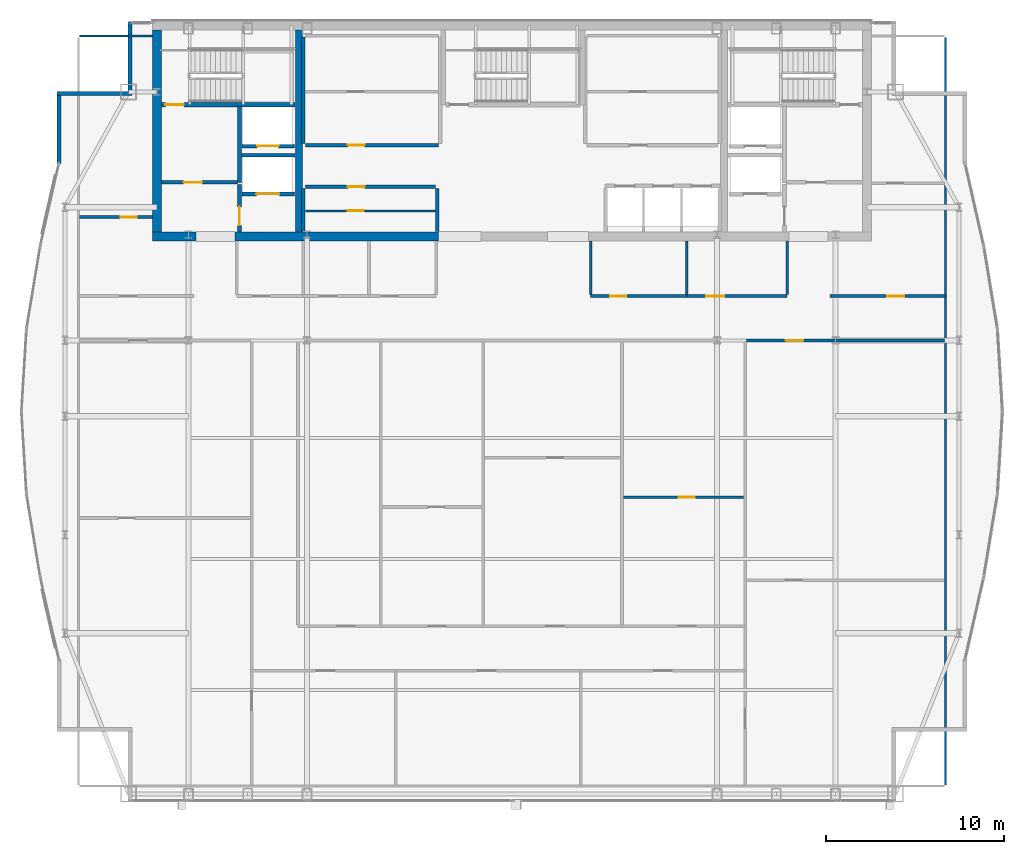
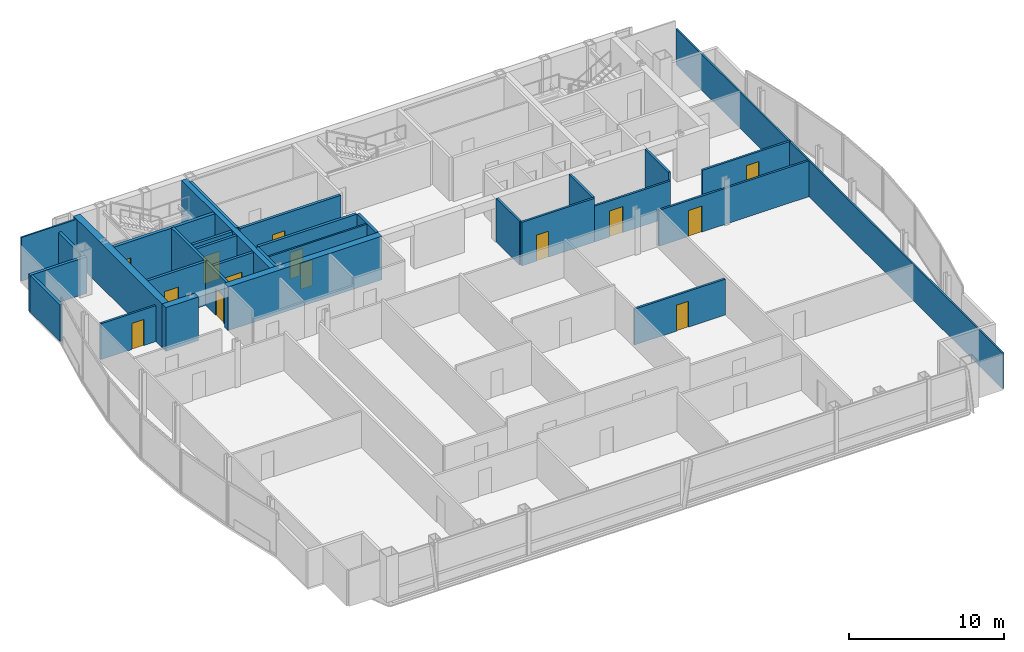
# One storey, part 25 of 29: 31 walls, 14 doors, 14 openings.
"""IFC4 building model written with IfcOpenShell, lengths in metres."""

import ifcopenshell
import ifcopenshell.guid

model = None  # the IFC model being written
_history = None  # IfcOwnerHistory: only IFC2X3 demands one
_inside = {}  # id of a spatial element -> (the spatial element, [elements in it])
_under = {}  # id of a project, library or spatial element -> (it, [spatial elements below it])
_declared = {}  # id of a project -> (the project, [libraries it declares])
_typed = {}  # id of a type object -> (the type object, [elements of that type])
_made_of = {}  # id of a material, layer set ... -> (it, [elements and type objects made of it])


def new_model(schema):
    """Start an empty IFC model of exactly this schema.

    Asked for "IFC4X3", IfcOpenShell would pick the latest addendum, in which some entities
    have other attributes; the version numbers below select the first issue.
    IFC2X3 requires an IfcOwnerHistory on every rooted entity: one is made here for all.
    """
    global model, _history
    if schema == "IFC4X3":
        model = ifcopenshell.file(schema_version=(4, 3, 0, 0))
    else:
        model = ifcopenshell.file(schema=schema)
    _inside.clear()
    _under.clear()
    _declared.clear()
    _typed.clear()
    _made_of.clear()
    _history = None
    if model.schema == "IFC2X3":
        org = make("IfcOrganization", Name="unknown")
        user = make(
            "IfcPersonAndOrganization",
            ThePerson=make("IfcPerson", FamilyName="unknown"),
            TheOrganization=org,
        )
        app = make(
            "IfcApplication",
            ApplicationDeveloper=org,
            Version="unknown",
            ApplicationFullName="unknown",
            ApplicationIdentifier="unknown",
        )
        _history = make(
            "IfcOwnerHistory",
            OwningUser=user,
            OwningApplication=app,
            ChangeAction="ADDED",
            CreationDate=0,
        )
    return model


def make(cls, **values):
    """One entity of the class cls with the attributes given. An attribute that is None is left unset."""
    return model.create_entity(
        cls, **{name: value for name, value in values.items() if value is not None}
    )


def rooted(cls, **values):
    """An entity with a GlobalId (a new one), such as an element, a storey or a relation."""
    return make(cls, GlobalId=ifcopenshell.guid.new(), OwnerHistory=_history, **values)


def si_unit(unit_type, name, prefix=None):
    """IfcSIUnit, for example si_unit("LENGTHUNIT", "METRE", prefix="MILLI")."""
    return make("IfcSIUnit", UnitType=unit_type, Prefix=prefix, Name=name)


def assignment(units):
    """IfcUnitAssignment: the units of a project."""
    return None if units is None else make("IfcUnitAssignment", Units=units)


def point(xyz):
    """IfcCartesianPoint."""
    return None if xyz is None else make("IfcCartesianPoint", Coordinates=xyz)


def direction(xyz):
    """IfcDirection."""
    return None if xyz is None else make("IfcDirection", DirectionRatios=xyz)


def frame(location, z_axis=None, x_axis=None):
    """IfcAxis2Placement3D, a coordinate frame: its origin and axes. An axis left out is left unset."""
    return make(
        "IfcAxis2Placement3D",
        Location=point(location),
        Axis=direction(z_axis),
        RefDirection=direction(x_axis),
    )


def frame_2d(location, x_axis=None):
    """IfcAxis2Placement2D, a coordinate frame in the plane: its origin and x axis."""
    return make(
        "IfcAxis2Placement2D", Location=point(location), RefDirection=direction(x_axis)
    )


def origin():
    """The frame at (0, 0, 0) with its axes left unset."""
    return frame((0.0, 0.0, 0.0))


def place(relative_to, where):
    """IfcLocalPlacement: puts the frame where relative to a parent placement (None: the world)."""
    return make(
        "IfcLocalPlacement", PlacementRelTo=relative_to, RelativePlacement=where
    )


def context(
    kind, dimensions, precision=None, world=None, true_north=None, identifier=None
):
    """IfcGeometricRepresentationContext, for example the 3D "Model" context."""
    return make(
        "IfcGeometricRepresentationContext",
        ContextIdentifier=identifier,
        ContextType=kind,
        CoordinateSpaceDimension=dimensions,
        Precision=precision,
        WorldCoordinateSystem=world,
        TrueNorth=true_north,
    )


def subcontext(parent, identifier, kind, view, scale=None):
    """IfcGeometricRepresentationSubContext, for example "Body" below "Model"."""
    return make(
        "IfcGeometricRepresentationSubContext",
        ContextIdentifier=identifier,
        ContextType=kind,
        ParentContext=parent,
        TargetScale=scale,
        TargetView=view,
    )


def project(units=None, contexts=None):
    """IfcProject with its units and contexts."""
    return rooted(
        "IfcProject",
        Name="project",
        RepresentationContexts=contexts,
        UnitsInContext=assignment(units),
    )


def spatial(cls, under=None, at=None, **own):
    """A site, building, storey or space (cls), placed at a placement, below another one or the project."""
    s = rooted(cls, ObjectPlacement=at, **own)
    if under is not None:
        _under.setdefault(under.id(), (under, []))[1].append(s)
    return s


def profile(cls, at=None, kind="AREA", **sizes):
    """A parametric profile (cls). Its sizes go by their IFC names, for example OverallWidth=200.0."""
    return make(cls, ProfileType=kind, Position=at, **sizes)


def rectangle(**sizes):
    """IfcRectangleProfileDef."""
    return profile("IfcRectangleProfileDef", **sizes)


def extrude(swept, where, along, depth):
    """IfcExtrudedAreaSolid: the profile swept, set in the frame where, extruded along a direction by depth."""
    return make(
        "IfcExtrudedAreaSolid",
        SweptArea=swept,
        Position=where,
        ExtrudedDirection=direction(along),
        Depth=depth,
    )


def shape(context_of_items, identifier, shape_type, items):
    """IfcShapeRepresentation: the items that make up one representation, for example the "Body"."""
    return make(
        "IfcShapeRepresentation",
        ContextOfItems=context_of_items,
        RepresentationIdentifier=identifier,
        RepresentationType=shape_type,
        Items=items,
    )


def material(Name=None, Category=None):
    """IfcMaterial."""
    return make("IfcMaterial", Name=Name, Category=Category)


def layer(
    of_material, thickness, ventilated=None, Name=None, Category=None, Priority=None
):
    """IfcMaterialLayer: one layer of a wall or slab, of a material (None: an air gap)."""
    return make(
        "IfcMaterialLayer",
        Material=of_material,
        LayerThickness=thickness,
        IsVentilated=ventilated,
        Name=Name,
        Category=Category,
        Priority=Priority,
    )


def layer_set(layers, Name=None):
    """IfcMaterialLayerSet."""
    return make("IfcMaterialLayerSet", MaterialLayers=layers, LayerSetName=Name)


def made_of(thing, what):
    """Note that an element or type object is made of a material, layer set ...; save() writes the relation."""
    if what is not None:
        _made_of.setdefault(what.id(), (what, []))[1].append(thing)
    return thing


def type_object(cls, material=None, **own):
    """A type object (cls), such as IfcWallType, which elements share."""
    return made_of(rooted(cls, **own), material)


def element(
    cls,
    number,
    at=None,
    inside=None,
    cuts=None,
    type_object=None,
    material=None,
    context=None,
    identifier="Body",
    shape_type=None,
    held_by="IfcProductDefinitionShape",
    body=None,
    shapes=None,
    **own,
):
    """One element of the class cls, such as IfcWall. Its Tag is "e" and its number.

    at: its placement. inside: the storey or other place that contains it. cuts: it is an
    opening in that element (IfcRelVoidsElement). A single representation is given by context,
    identifier, shape_type and body (its items); several are given by shapes. held_by: the class
    of the entity that holds the representations. save() writes the other relations.
    """
    e = rooted(cls, Tag="e%d" % number, ObjectPlacement=at, **own)
    if body is not None:
        shapes = [shape(context, identifier, shape_type, body)]
    if shapes is not None:
        e.Representation = make(held_by, Representations=shapes)
    if inside is not None:
        _inside.setdefault(inside.id(), (inside, []))[1].append(e)
    if cuts is not None:
        rooted(
            "IfcRelVoidsElement", RelatingBuildingElement=cuts, RelatedOpeningElement=e
        )
    if type_object is not None:
        _typed.setdefault(type_object.id(), (type_object, []))[1].append(e)
    return made_of(e, material)


def fill(opening, filler):
    """IfcRelFillsElement: the door or window that sits in an opening."""
    return rooted(
        "IfcRelFillsElement",
        RelatingOpeningElement=opening,
        RelatedBuildingElement=filler,
    )


def aggregate(whole, parts):
    """IfcRelAggregates: a whole, such as a stair, and the parts it consists of."""
    return rooted("IfcRelAggregates", RelatingObject=whole, RelatedObjects=parts)


def save(model, path):
    """Write the relations noted so far, then the file.

    IfcRelAggregates (storeys below a building ...), IfcRelContainedInSpatialStructure (elements
    in a storey), IfcRelDefinesByType, IfcRelAssociatesMaterial and IfcRelDeclares: one each for
    every whole, place, type object, material and project.
    """
    for whole, parts in _under.values():
        aggregate(whole, parts)
    for where, things in _inside.values():
        rooted(
            "IfcRelContainedInSpatialStructure",
            RelatedElements=things,
            RelatingStructure=where,
        )
    for kind, things in _typed.values():
        rooted("IfcRelDefinesByType", RelatedObjects=things, RelatingType=kind)
    for what, things in _made_of.values():
        rooted("IfcRelAssociatesMaterial", RelatedObjects=things, RelatingMaterial=what)
    for by, libraries in _declared.values():
        rooted("IfcRelDeclares", RelatingContext=by, RelatedDefinitions=libraries)
    model.write(path)


model = new_model("IFC4")

# Units and contexts
model_context = context("Model", 3, precision=1e-05, world=origin(), true_north=direction((0.0, 1.0)))
body_context = subcontext(model_context, "Body", "Model", "MODEL_VIEW")
ifc_project = project(units=[si_unit("LENGTHUNIT", "METRE"), si_unit("AREAUNIT", "SQUARE_METRE"), si_unit("VOLUMEUNIT", "CUBIC_METRE"), si_unit("PLANEANGLEUNIT", "RADIAN"), si_unit("MASSUNIT", "GRAM", prefix="KILO")], contexts=[model_context])

# Site, building, storey
site_placement = place(None, origin())
site = spatial("IfcSite", under=ifc_project, at=site_placement, CompositionType="ELEMENT")
building_placement = place(site_placement, origin())
building = spatial("IfcBuilding", under=site, at=building_placement, Name="Khoronbel Lancet Exchange", CompositionType="ELEMENT")
storey_placement = place(building_placement, frame((0.0, 0.0, 318.199951171875)))
storey = spatial("IfcBuildingStorey", under=building, at=storey_placement, Name="L82", CompositionType="ELEMENT", Elevation=318.199951171875)

# Walls
ifc_material_1 = material(Name="Concrete C60/75", Category="concrete")
ifc_layer_1 = layer(ifc_material_1, 0.5, Name="Concrete C60/75")
ifc_layer_set_1 = layer_set([ifc_layer_1], Name="Concrete C60/75")
wall_type_1 = type_object("IfcWallType", Name="WL-CW4", PredefinedType="SHEAR", material=ifc_layer_set_1)
wall_1_placement = place(storey_placement, frame((16.449951171875, 41.800048828125, 0.0), z_axis=(0.0, 0.0, 1.0), x_axis=(0.0, 1.0, 0.0)))
element("IfcWall", 1, at=wall_1_placement, inside=storey, type_object=wall_type_1, Name="Level L82 rear core west shear wall", PredefinedType="SHEAR", context=body_context, shape_type="SweptSolid", body=[
    extrude(rectangle(XDim=11.39990234375, YDim=0.5, at=frame_2d((5.699951171875, 0.0))), origin(), (0.0, 0.0, 1.0), 3.43994140625),
])
wall_2_placement = place(storey_placement, frame((18.64990234375, 41.550048828125, 0.0), z_axis=(0.0, 0.0, 1.0), x_axis=(-1.0, 0.0, 0.0)))
element("IfcWall", 2, at=wall_2_placement, inside=storey, type_object=wall_type_1, Name="Level L82 rear core south shear wall pier P1", PredefinedType="SHEAR", context=body_context, shape_type="SweptSolid", body=[
    extrude(rectangle(XDim=2.449951171875, YDim=0.5, at=frame_2d((1.22509765625, 0.0))), origin(), (0.0, 0.0, 1.0), 3.43994140625),
])
wall_3_placement = place(storey_placement, frame((32.300048828125, 41.550048828125, 0.0), z_axis=(0.0, 0.0, 1.0), x_axis=(-1.0, 0.0, 0.0)))
element("IfcWall", 3, at=wall_3_placement, inside=storey, type_object=wall_type_1, Name="Level L82 rear core south shear wall pier P2", PredefinedType="SHEAR", context=body_context, shape_type="SweptSolid", body=[
    extrude(rectangle(XDim=11.449951171875, YDim=0.5, at=frame_2d((5.72509765625, 0.0))), origin(), (0.0, 0.0, 1.0), 3.43994140625),
])
ifc_material_2 = material(Name="Precast concrete C40/50", Category="concrete")
ifc_layer_2 = layer(ifc_material_2, 0.25, Name="Precast concrete C40/50")
ifc_layer_set_2 = layer_set([ifc_layer_2], Name="Precast concrete C40/50")
wall_type_2 = type_object("IfcWallType", Name="WL-EXT250", PredefinedType="SOLIDWALL", material=ifc_layer_set_2)
wall_4_placement = place(storey_placement, frame((10.93994140625, 45.669921875, 0.0), z_axis=(0.0, 0.0, 1.0), x_axis=(0.0, 1.0, 0.0)))
element("IfcWall", 4, at=wall_4_placement, inside=storey, type_object=wall_type_2, Name="Level L82 notched-corner limestone pier 10", PredefinedType="SOLIDWALL", context=body_context, shape_type="SweptSolid", body=[
    extrude(rectangle(XDim=3.830078125, YDim=0.219970703125, at=frame_2d((1.9150390625, 0.0))), origin(), (0.0, 0.0, 1.0), 2.880126953125),
])
wall_5_placement = place(storey_placement, frame((10.830078125, 49.610107421875, 0.0), z_axis=(0.0, 0.0, 1.0), x_axis=(1.0, 0.0, 0.0)))
element("IfcWall", 5, at=wall_5_placement, inside=storey, type_object=wall_type_2, Name="Level L82 notched-corner limestone pier 11", PredefinedType="SOLIDWALL", context=body_context, shape_type="SweptSolid", body=[
    extrude(rectangle(XDim=4.219970703125, YDim=0.219970703125, at=frame_2d((2.10986328125, 0.0))), origin(), (0.0, 0.0, 1.0), 2.880126953125),
])
wall_6_placement = place(storey_placement, frame((14.93994140625, 49.719970703125, 0.0), z_axis=(0.0, 0.0, 1.0), x_axis=(0.0, 1.0, 0.0)))
element("IfcWall", 6, at=wall_6_placement, inside=storey, type_object=wall_type_2, Name="Level L82 notched-corner limestone pier 12", PredefinedType="SOLIDWALL", context=body_context, shape_type="SweptSolid", body=[
    extrude(rectangle(XDim=3.909912109375, YDim=0.219970703125, at=frame_2d((1.955078125, 0.0))), origin(), (0.0, 0.0, 1.0), 2.880126953125),
])
ifc_material_3 = material(Name="Acoustic Metal-Stud & Mineral-Wool Gypsum Partition 120 mm", Category="gypsum")
ifc_layer_3 = layer(ifc_material_3, 0.1201171875, Name="Acoustic Metal-Stud & Mineral-Wool Gypsum Partition 120 mm")
ifc_layer_set_3 = layer_set([ifc_layer_3], Name="Acoustic Metal-Stud & Mineral-Wool Gypsum Partition 120 mm")
wall_type_3 = type_object("IfcWallType", Name="WL-PRT120", PredefinedType="PARTITIONING", material=ifc_layer_set_3)
for number, where, z_axis, x_axis, name in (
    (7, (40.8798828125, 38.280029296875, 0.0), (0.0, 0.0, 1.0), (0.0, 1.0, 0.0), "Level L82 interior partition PW-NP-0"),
    (8, (46.300048828125, 38.280029296875, 0.0), (0.0, 0.0, 1.0), (0.0, 1.0, 0.0), "Level L82 interior partition PW-NP-M"),
    (9, (51.949951171875, 38.280029296875, 0.0), (0.0, 0.0, 1.0), (0.0, 1.0, 0.0), "Level L82 interior partition PW-NP-1"),
):
    element("IfcWall", number, at=place(storey_placement, frame(where, z_axis=z_axis, x_axis=x_axis)), inside=storey, type_object=wall_type_3, Name=name, PredefinedType="PARTITIONING", context=body_context, shape_type="SweptSolid", body=[
        extrude(rectangle(XDim=3.02001953125, YDim=0.14990234375, at=frame_2d((1.510009765625, 0.0))), origin(), (0.0, 0.0, 1.0), 3.43994140625),
    ])

# Wall, opening, door
wall_7_placement = place(storey_placement, frame((12.094970703125, 42.64990234375, 0.0), z_axis=(0.0, 0.0, 1.0), x_axis=(1.0, 0.0, 0.0)))
wall_7 = element("IfcWall", 10, at=wall_7_placement, inside=storey, type_object=wall_type_3, Name="Level L82 interior partition PW-NW-H", PredefinedType="PARTITIONING", context=body_context, shape_type="SweptSolid", body=[
    extrude(rectangle(XDim=4.10498046875, YDim=0.14990234375, at=frame_2d((2.052490234375, 0.0))), origin(), (0.0, 0.0, 1.0), 2.830078125),
])
opening_1_placement = place(wall_7_placement, frame((2.320068359375, 0.0, 0.0)))
opening_1 = element("IfcOpeningElement", 11, at=opening_1_placement, cuts=wall_7, Name="Opening D5", PredefinedType="OPENING", context=body_context, shape_type="SweptSolid", body=[
    extrude(rectangle(XDim=0.89990234375, YDim=2.050048828125, at=frame_2d((0.449951171875, 1.02490234375))), frame((0.0, 0.0849609375, 0.0), z_axis=(0.0, -1.0, 0.0), x_axis=(1.0, 0.0, 0.0)), (0.0, 0.0, 1.0), 0.169921875),
])
ifc_material_4 = material(Name="Acoustic Timber Pantry & Support Door", Category="wood")
door_type_1 = type_object("IfcDoorType", Name="DR-D5", OperationType="NOTDEFINED", PredefinedType="DOOR", material=ifc_material_4)
door_1_placement = place(opening_1_placement, origin())
door_1 = element("IfcDoor", 12, at=door_1_placement, inside=storey, type_object=door_type_1, Name="NW north room door L82-1", OperationType="SINGLE_SWING_LEFT", OverallHeight=2.050048828125, OverallWidth=0.89990234375, PredefinedType="DOOR", context=body_context, shape_type="SweptSolid", body=[
    extrude(rectangle(XDim=0.89990234375, YDim=2.050048828125, at=frame_2d((0.449951171875, 1.02490234375))), frame((0.0, 0.02490234375, 0.0), z_axis=(0.0, -1.0, 0.0), x_axis=(1.0, 0.0, 0.0)), (0.0, 0.0, 1.0), 0.050048828125),
])
fill(opening_1, door_1)

wall_8_placement = place(storey_placement, frame((42.729736328125, 26.8740234375, 0.0), z_axis=(0.0, 0.0, 1.0), x_axis=(1.0, 0.0, 0.0)))
wall_8 = element("IfcWall", 13, at=wall_8_placement, inside=storey, type_object=wall_type_3, Name="Level L82 interior partition PW-Z4C-H4", PredefinedType="PARTITIONING", context=body_context, shape_type="SweptSolid", body=[
    extrude(rectangle(XDim=6.770263671875, YDim=0.14990234375, at=frame_2d((3.38525390625, 0.0))), origin(), (0.0, 0.0, 1.0), 2.830078125),
])
opening_2_placement = place(wall_8_placement, frame((3.11865234375, 0.0, 0.0)))
opening_2 = element("IfcOpeningElement", 14, at=opening_2_placement, cuts=wall_8, Name="Opening D5", PredefinedType="OPENING", context=body_context, shape_type="SweptSolid", body=[
    extrude(rectangle(XDim=0.89990234375, YDim=2.050048828125, at=frame_2d((0.449951171875, 1.02490234375))), frame((0.0, 0.0849609375, 0.0), z_axis=(0.0, -1.0, 0.0), x_axis=(1.0, 0.0, 0.0)), (0.0, 0.0, 1.0), 0.169921875),
])
door_2_placement = place(opening_2_placement, origin())
door_2 = element("IfcDoor", 15, at=door_2_placement, inside=storey, type_object=door_type_1, Name="Z4C inner door 4 L82-1", OperationType="SINGLE_SWING_LEFT", OverallHeight=2.050048828125, OverallWidth=0.89990234375, PredefinedType="DOOR", context=body_context, shape_type="SweptSolid", body=[
    extrude(rectangle(XDim=0.89990234375, YDim=2.050048828125, at=frame_2d((0.449951171875, 1.02490234375))), frame((0.0, 0.02490234375, 0.0), z_axis=(0.0, -1.0, 0.0), x_axis=(1.0, 0.0, 0.0)), (0.0, 0.0, 1.0), 0.050048828125),
])
fill(opening_2, door_2)

# Walls
wall_9_placement = place(storey_placement, frame((60.8701171875, 10.6650390625, 0.0), z_axis=(0.0, 0.0, 1.0), x_axis=(0.0, 1.0, 0.0)))
element("IfcWall", 16, at=wall_9_placement, inside=storey, type_object=wall_type_3, Name="Level L82 interior partition PW-LIN-E", PredefinedType="PARTITIONING", context=body_context, shape_type="SweptSolid", body=[
    extrude(rectangle(XDim=42.10986328125, YDim=0.1201171875, at=frame_2d((21.054931640625, 0.0))), origin(), (0.0, 0.0, 1.0), 2.830078125),
])
wall_10_placement = place(storey_placement, frame((12.094970703125, 52.840087890625, 0.0), z_axis=(0.0, 0.0, 1.0), x_axis=(1.0, 0.0, 0.0)))
element("IfcWall", 17, at=wall_10_placement, inside=storey, type_object=wall_type_3, Name="Level L82 interior partition PW-LIN-NW", PredefinedType="PARTITIONING", context=body_context, shape_type="SweptSolid", body=[
    extrude(rectangle(XDim=4.10498046875, YDim=0.1201171875, at=frame_2d((2.052490234375, 0.0))), origin(), (0.0, 0.0, 1.0), 3.43994140625),
])

# Wall, opening, door
ifc_material_5 = material(Name="Fire-Rated Metal-Stud & Mineral-Wool Gypsum Partition 120 mm", Category="gypsum")
ifc_layer_4 = layer(ifc_material_5, 0.1201171875, Name="Fire-Rated Metal-Stud & Mineral-Wool Gypsum Partition 120 mm")
ifc_layer_set_4 = layer_set([ifc_layer_4], Name="Fire-Rated Metal-Stud & Mineral-Wool Gypsum Partition 120 mm")
wall_type_4 = type_object("IfcWallType", Name="WL-PRT120F", PredefinedType="PARTITIONING", material=ifc_layer_set_4)
wall_11_placement = place(storey_placement, frame((24.804931640625, 43.001953125, 0.0), z_axis=(0.0, 0.0, 1.0), x_axis=(1.0, 0.0, 0.0)))
wall_11 = element("IfcWall", 18, at=wall_11_placement, inside=storey, type_object=wall_type_4, Name="Level L82 interior partition CW-PM-RH", PredefinedType="PARTITIONING", context=body_context, shape_type="SweptSolid", body=[
    extrude(rectangle(XDim=7.340087890625, YDim=0.1201171875, at=frame_2d((3.669921875, 0.0))), origin(), (0.0, 0.0, 1.0), 3.43994140625),
])
opening_3_placement = place(wall_11_placement, frame((2.39990234375, 0.0, 0.0)))
opening_3 = element("IfcOpeningElement", 19, at=opening_3_placement, cuts=wall_11, Name="Opening FD4", PredefinedType="OPENING", context=body_context, shape_type="SweptSolid", body=[
    extrude(rectangle(XDim=0.89990234375, YDim=2.050048828125, at=frame_2d((0.449951171875, 1.02490234375))), frame((0.0, 0.070068359375, 0.0), z_axis=(0.0, -1.0, 0.0), x_axis=(1.0, 0.0, 0.0)), (0.0, 0.0, 1.0), 0.14013671875),
])
ifc_material_6 = material(Name="Fire-Rated Steel Core Support Door Assembly", Category="steel")
door_type_2 = type_object("IfcDoorType", Name="DR-FD4", OperationType="NOTDEFINED", PredefinedType="DOOR", material=ifc_material_6)
door_3_placement = place(opening_3_placement, origin())
door_3 = element("IfcDoor", 20, at=door_3_placement, inside=storey, type_object=door_type_2, Name="Core PM inner store door L82-1", OperationType="SINGLE_SWING_RIGHT", OverallHeight=2.050048828125, OverallWidth=0.89990234375, PredefinedType="DOOR", context=body_context, shape_type="SweptSolid", body=[
    extrude(rectangle(XDim=0.89990234375, YDim=2.050048828125, at=frame_2d((0.449951171875, 1.02490234375))), frame((0.0, 0.02490234375, 0.0), z_axis=(0.0, -1.0, 0.0), x_axis=(1.0, 0.0, 0.0)), (0.0, 0.0, 1.0), 0.050048828125),
])
fill(opening_3, door_3)

ifc_material_7 = material(Name="Fire-Rated Twin-Stud Acoustic Gypsum Partition 150 mm", Category="gypsum")
ifc_layer_5 = layer(ifc_material_7, 0.14990234375, Name="Fire-Rated Twin-Stud Acoustic Gypsum Partition 150 mm")
ifc_layer_set_5 = layer_set([ifc_layer_5], Name="Fire-Rated Twin-Stud Acoustic Gypsum Partition 150 mm")
wall_type_5 = type_object("IfcWallType", Name="WL-PRT150C", PredefinedType="PARTITIONING", material=ifc_layer_set_5)
wall_12_placement = place(storey_placement, frame((40.8798828125, 38.199951171875, 0.0), z_axis=(0.0, 0.0, 1.0), x_axis=(1.0, 0.0, 0.0)))
wall_12 = element("IfcWall", 21, at=wall_12_placement, inside=storey, type_object=wall_type_5, Name="Level L82 interior partition PW-NP-S1", PredefinedType="PARTITIONING", context=body_context, shape_type="SweptSolid", body=[
    extrude(rectangle(XDim=5.420166015625, YDim=0.14990234375, at=frame_2d((2.7099609375, 0.0))), origin(), (0.0, 0.0, 1.0), 3.43994140625),
])
opening_4_placement = place(wall_12_placement, frame((1.10009765625, 0.0, 0.0)))
opening_4 = element("IfcOpeningElement", 22, at=opening_4_placement, cuts=wall_12, Name="Opening D5", PredefinedType="OPENING", context=body_context, shape_type="SweptSolid", body=[
    extrude(rectangle(XDim=0.89990234375, YDim=2.050048828125, at=frame_2d((0.449951171875, 1.02490234375))), frame((0.0, 0.0849609375, 0.0), z_axis=(0.0, -1.0, 0.0), x_axis=(1.0, 0.0, 0.0)), (0.0, 0.0, 1.0), 0.169921875),
])
door_4_placement = place(opening_4_placement, origin())
door_4 = element("IfcDoor", 23, at=door_4_placement, inside=storey, type_object=door_type_1, Name="Floor refreshment pantry door L82-1", OperationType="SINGLE_SWING_LEFT", OverallHeight=2.050048828125, OverallWidth=0.89990234375, PredefinedType="DOOR", context=body_context, shape_type="SweptSolid", body=[
    extrude(rectangle(XDim=0.89990234375, YDim=2.050048828125, at=frame_2d((0.449951171875, 1.02490234375))), frame((0.0, 0.02490234375, 0.0), z_axis=(0.0, -1.0, 0.0), x_axis=(1.0, 0.0, 0.0)), (0.0, 0.0, 1.0), 0.050048828125),
])
fill(opening_4, door_4)

wall_13_placement = place(storey_placement, frame((46.300048828125, 38.199951171875, 0.0), z_axis=(0.0, 0.0, 1.0), x_axis=(1.0, 0.0, 0.0)))
wall_13 = element("IfcWall", 24, at=wall_13_placement, inside=storey, type_object=wall_type_5, Name="Level L82 interior partition PW-NP-S2", PredefinedType="PARTITIONING", context=body_context, shape_type="SweptSolid", body=[
    extrude(rectangle(XDim=5.64990234375, YDim=0.14990234375, at=frame_2d((2.824951171875, 0.0))), origin(), (0.0, 0.0, 1.0), 2.830078125),
])
opening_5_placement = place(wall_13_placement, frame((1.10009765625, 0.0, 0.0)))
opening_5 = element("IfcOpeningElement", 25, at=opening_5_placement, cuts=wall_13, Name="Opening D2", PredefinedType="OPENING", context=body_context, shape_type="SweptSolid", body=[
    extrude(rectangle(XDim=1.0, YDim=2.050048828125, at=frame_2d((0.5, 1.02490234375))), frame((0.0, 0.0849609375, 0.0), z_axis=(0.0, -1.0, 0.0), x_axis=(1.0, 0.0, 0.0)), (0.0, 0.0, 1.0), 0.169921875),
])
ifc_material_8 = material(Name="Acoustic Veneered Timber & Bronze Frame Door", Category="wood")
door_type_3 = type_object("IfcDoorType", Name="DR-D2", OperationType="NOTDEFINED", PredefinedType="DOOR", material=ifc_material_8)
door_5_placement = place(opening_5_placement, origin())
door_5 = element("IfcDoor", 26, at=door_5_placement, inside=storey, type_object=door_type_3, Name="Floor store door L82-1", OperationType="SINGLE_SWING_RIGHT", OverallHeight=2.050048828125, OverallWidth=1.0, PredefinedType="DOOR", context=body_context, shape_type="SweptSolid", body=[
    extrude(rectangle(XDim=1.0, YDim=2.050048828125, at=frame_2d((0.5, 1.02490234375))), frame((0.0, 0.02490234375, 0.0), z_axis=(0.0, -1.0, 0.0), x_axis=(1.0, 0.0, 0.0)), (0.0, 0.0, 1.0), 0.050048828125),
])
fill(opening_5, door_5)

wall_14_placement = place(storey_placement, frame((54.35009765625, 38.199951171875, 0.0), z_axis=(0.0, 0.0, 1.0), x_axis=(1.0, 0.0, 0.0)))
wall_14 = element("IfcWall", 27, at=wall_14_placement, inside=storey, type_object=wall_type_5, Name="Level L82 interior partition PW-NE-S", PredefinedType="PARTITIONING", context=body_context, shape_type="SweptSolid", body=[
    extrude(rectangle(XDim=6.52001953125, YDim=0.14990234375, at=frame_2d((3.260009765625, 0.0))), origin(), (0.0, 0.0, 1.0), 2.830078125),
])
opening_6_placement = place(wall_14_placement, frame((3.25, 0.0, 0.0)))
opening_6 = element("IfcOpeningElement", 28, at=opening_6_placement, cuts=wall_14, Name="Opening D1", PredefinedType="OPENING", context=body_context, shape_type="SweptSolid", body=[
    extrude(rectangle(XDim=0.949951171875, YDim=2.050048828125, at=frame_2d((0.47509765625, 1.02490234375))), frame((0.0, 0.0849609375, 0.0), z_axis=(0.0, -1.0, 0.0), x_axis=(1.0, 0.0, 0.0)), (0.0, 0.0, 1.0), 0.169921875),
])
door_type_4 = type_object("IfcDoorType", Name="DR-D1", OperationType="NOTDEFINED", PredefinedType="DOOR", material=ifc_material_8)
door_6_placement = place(opening_6_placement, origin())
door_6 = element("IfcDoor", 29, at=door_6_placement, inside=storey, type_object=door_type_4, Name="NE corner room door L82-1", OperationType="SINGLE_SWING_RIGHT", OverallHeight=2.050048828125, OverallWidth=0.949951171875, PredefinedType="DOOR", context=body_context, shape_type="SweptSolid", body=[
    extrude(rectangle(XDim=0.949951171875, YDim=2.050048828125, at=frame_2d((0.47509765625, 1.02490234375))), frame((0.0, 0.02490234375, 0.0), z_axis=(0.0, -1.0, 0.0), x_axis=(1.0, 0.0, 0.0)), (0.0, 0.0, 1.0), 0.050048828125),
])
fill(opening_6, door_6)

wall_15_placement = place(storey_placement, frame((49.659912109375, 35.699951171875, 0.0), z_axis=(0.0, 0.0, 1.0), x_axis=(1.0, 0.0, 0.0)))
wall_15 = element("IfcWall", 30, at=wall_15_placement, inside=storey, type_object=wall_type_5, Name="Level L82 interior partition PW-Z4-EN2", PredefinedType="PARTITIONING", context=body_context, shape_type="SweptSolid", body=[
    extrude(rectangle(XDim=11.14501953125, YDim=0.14990234375, at=frame_2d((5.572509765625, 0.0))), origin(), (0.0, 0.0, 1.0), 2.830078125),
])
opening_7_placement = place(wall_15_placement, frame((2.199951171875, 0.0, 0.0)))
opening_7 = element("IfcOpeningElement", 31, at=opening_7_placement, cuts=wall_15, Name="Opening D2", PredefinedType="OPENING", context=body_context, shape_type="SweptSolid", body=[
    extrude(rectangle(XDim=1.0, YDim=2.050048828125, at=frame_2d((0.5, 1.02490234375))), frame((0.0, 0.0849609375, 0.0), z_axis=(0.0, -1.0, 0.0), x_axis=(1.0, 0.0, 0.0)), (0.0, 0.0, 1.0), 0.169921875),
])
door_7_placement = place(opening_7_placement, origin())
door_7 = element("IfcDoor", 32, at=door_7_placement, inside=storey, type_object=door_type_3, Name="East lens north door L82-1", OperationType="SINGLE_SWING_LEFT", OverallHeight=2.050048828125, OverallWidth=1.0, PredefinedType="DOOR", context=body_context, shape_type="SweptSolid", body=[
    extrude(rectangle(XDim=1.0, YDim=2.050048828125, at=frame_2d((0.5, 1.02490234375))), frame((0.0, 0.02490234375, 0.0), z_axis=(0.0, -1.0, 0.0), x_axis=(1.0, 0.0, 0.0)), (0.0, 0.0, 1.0), 0.050048828125),
])
fill(opening_7, door_7)

ifc_material_9 = material(Name="Autoclaved Aerated Concrete Blockwork 200 mm", Category="masonry")
ifc_layer_6 = layer(ifc_material_9, 0.199951171875, Name="Autoclaved Aerated Concrete Blockwork 200 mm")
ifc_layer_set_6 = layer_set([ifc_layer_6], Name="Autoclaved Aerated Concrete Blockwork 200 mm")
wall_type_6 = type_object("IfcWallType", Name="WL-PRT200", PredefinedType="PARTITIONING", material=ifc_layer_set_6)
wall_16_placement = place(storey_placement, frame((24.2099609375, 43.949951171875, 0.0), z_axis=(0.0, 0.0, 1.0), x_axis=(-1.0, 0.0, 0.0)))
wall_16 = element("IfcWall", 33, at=wall_16_placement, inside=storey, type_object=wall_type_6, Name="Level L82 elevator hoistway landing front wall SVLW", PredefinedType="PARTITIONING", context=body_context, shape_type="SweptSolid", body=[
    extrude(rectangle(XDim=2.969970703125, YDim=0.199951171875, at=frame_2d((1.48486328125, 0.0))), origin(), (0.0, 0.0, 1.0), 3.43994140625),
])
opening_8_placement = place(wall_16_placement, frame((0.860107421875, 0.0, 0.0)))
opening_8 = element("IfcOpeningElement", 34, at=opening_8_placement, cuts=wall_16, Name="Opening LD-SVL1", PredefinedType="OPENING", context=body_context, shape_type="SweptSolid", body=[
    extrude(rectangle(XDim=1.300048828125, YDim=2.179931640625, at=frame_2d((0.64990234375, 1.08984375))), frame((0.0, 0.10986328125, 0.0), z_axis=(0.0, -1.0, 0.0), x_axis=(1.0, 0.0, 0.0)), (0.0, 0.0, 1.0), 0.219970703125),
])
ifc_material_10 = material(Name="Heavy-Duty Bi-Parting Goods Lift Landing Door", Category="steel")
door_type_5 = type_object("IfcDoorType", Name="DR-LD-SVL", OperationType="NOTDEFINED", PredefinedType="DOOR", material=ifc_material_10)
door_8_placement = place(opening_8_placement, origin())
door_8 = element("IfcDoor", 35, at=door_8_placement, inside=storey, type_object=door_type_5, Name="Elevator landing sliding door LD-SVL1 L82", OperationType="SLIDING_TO_LEFT", OverallHeight=2.179931640625, OverallWidth=1.300048828125, PredefinedType="DOOR", context=body_context, shape_type="SweptSolid", body=[
    extrude(rectangle(XDim=1.300048828125, YDim=2.179931640625, at=frame_2d((0.64990234375, 1.08984375))), frame((0.0, 0.02490234375, 0.0), z_axis=(0.0, -1.0, 0.0), x_axis=(1.0, 0.0, 0.0)), (0.0, 0.0, 1.0), 0.050048828125),
])
fill(opening_8, door_8)

wall_17_placement = place(storey_placement, frame((24.2099609375, 46.64990234375, 0.0), z_axis=(0.0, 0.0, 1.0), x_axis=(-1.0, 0.0, 0.0)))
wall_17 = element("IfcWall", 36, at=wall_17_placement, inside=storey, type_object=wall_type_6, Name="Level L82 elevator hoistway landing front wall FFLW", PredefinedType="PARTITIONING", context=body_context, shape_type="SweptSolid", body=[
    extrude(rectangle(XDim=2.969970703125, YDim=0.199951171875, at=frame_2d((1.48486328125, 0.0))), origin(), (0.0, 0.0, 1.0), 3.43994140625),
])
opening_9_placement = place(wall_17_placement, frame((0.909912109375, 0.0, 0.0)))
opening_9 = element("IfcOpeningElement", 37, at=opening_9_placement, cuts=wall_17, Name="Opening LD-FFL1", PredefinedType="OPENING", context=body_context, shape_type="SweptSolid", body=[
    extrude(rectangle(XDim=1.199951171875, YDim=2.179931640625, at=frame_2d((0.60009765625, 1.08984375))), frame((0.0, 0.10986328125, 0.0), z_axis=(0.0, -1.0, 0.0), x_axis=(1.0, 0.0, 0.0)), (0.0, 0.0, 1.0), 0.219970703125),
])
ifc_material_11 = material(Name="Fire-Rated Stainless Bi-Parting Firefighting Lift Door", Category="steel")
door_type_6 = type_object("IfcDoorType", Name="DR-LD-FFL", OperationType="NOTDEFINED", PredefinedType="DOOR", material=ifc_material_11)
door_9_placement = place(opening_9_placement, origin())
door_9 = element("IfcDoor", 38, at=door_9_placement, inside=storey, type_object=door_type_6, Name="Elevator landing sliding door LD-FFL1 L82", OperationType="SLIDING_TO_LEFT", OverallHeight=2.179931640625, OverallWidth=1.199951171875, PredefinedType="DOOR", context=body_context, shape_type="SweptSolid", body=[
    extrude(rectangle(XDim=1.199951171875, YDim=2.179931640625, at=frame_2d((0.60009765625, 1.08984375))), frame((0.0, 0.02490234375, 0.0), z_axis=(0.0, -1.0, 0.0), x_axis=(1.0, 0.0, 0.0)), (0.0, 0.0, 1.0), 0.050048828125),
])
fill(opening_9, door_9)

# Wall
wall_18_placement = place(storey_placement, frame((21.10009765625, 44.60009765625, 0.0), z_axis=(0.0, 0.0, 1.0), x_axis=(0.0, 1.0, 0.0)))
element("IfcWall", 39, at=wall_18_placement, inside=storey, type_object=wall_type_6, Name="Level L82 interior partition CW-FFLW-E", PredefinedType="PARTITIONING", context=body_context, shape_type="SweptSolid", body=[
    extrude(rectangle(XDim=4.2998046875, YDim=0.199951171875, at=frame_2d((2.14990234375, 0.0))), origin(), (0.0, 0.0, 1.0), 3.43994140625),
])

# Wall, opening, door
wall_19_placement = place(storey_placement, frame((16.699951171875, 44.60009765625, 0.0), z_axis=(0.0, 0.0, 1.0), x_axis=(1.0, 0.0, 0.0)))
wall_19 = element("IfcWall", 40, at=wall_19_placement, inside=storey, type_object=wall_type_6, Name="Level L82 interior partition CW-FFLW-S", PredefinedType="PARTITIONING", context=body_context, shape_type="SweptSolid", body=[
    extrude(rectangle(XDim=4.300048828125, YDim=0.199951171875, at=frame_2d((2.14990234375, 0.0))), origin(), (0.0, 0.0, 1.0), 3.43994140625),
])
opening_10_placement = place(wall_19_placement, frame((1.25, 0.0, 0.0)))
opening_10 = element("IfcOpeningElement", 41, at=opening_10_placement, cuts=wall_19, Name="Opening FD1", PredefinedType="OPENING", context=body_context, shape_type="SweptSolid", body=[
    extrude(rectangle(XDim=1.050048828125, YDim=2.14990234375, at=frame_2d((0.52490234375, 1.074951171875))), frame((0.0, 0.10986328125, 0.0), z_axis=(0.0, -1.0, 0.0), x_axis=(1.0, 0.0, 0.0)), (0.0, 0.0, 1.0), 0.219970703125),
])
ifc_material_12 = material(Name="Fire-Rated Painted Steel Door Assembly", Category="steel")
door_type_7 = type_object("IfcDoorType", Name="DR-FD1", OperationType="NOTDEFINED", PredefinedType="DOOR", material=ifc_material_12)
door_10_placement = place(opening_10_placement, origin())
door_10 = element("IfcDoor", 42, at=door_10_placement, inside=storey, type_object=door_type_7, Name="West firefighting lobby FD90S door L82-1", OperationType="SINGLE_SWING_RIGHT", OverallHeight=2.14990234375, OverallWidth=1.050048828125, PredefinedType="DOOR", context=body_context, shape_type="SweptSolid", body=[
    extrude(rectangle(XDim=1.050048828125, YDim=2.14990234375, at=frame_2d((0.52490234375, 1.074951171875))), frame((0.0, 0.02490234375, 0.0), z_axis=(0.0, -1.0, 0.0), x_axis=(1.0, 0.0, 0.0)), (0.0, 0.0, 1.0), 0.050048828125),
])
fill(opening_10, door_10)

# Wall
wall_20_placement = place(storey_placement, frame((21.199951171875, 46.1201171875, 0.0), z_axis=(0.0, 0.0, 1.0), x_axis=(1.0, 0.0, 0.0)))
element("IfcWall", 43, at=wall_20_placement, inside=storey, type_object=wall_type_6, Name="Level L82 interior partition CW-FFL1-S", PredefinedType="PARTITIONING", context=body_context, shape_type="SweptSolid", body=[
    extrude(rectangle(XDim=3.02001953125, YDim=0.199951171875, at=frame_2d((1.510009765625, 0.0))), origin(), (0.0, 0.0, 1.0), 3.43994140625),
])

# Wall, opening, door
wall_21_placement = place(storey_placement, frame((21.10009765625, 41.800048828125, 0.0), z_axis=(0.0, 0.0, 1.0), x_axis=(0.0, 1.0, 0.0)))
wall_21 = element("IfcWall", 44, at=wall_21_placement, inside=storey, type_object=wall_type_6, Name="Level L82 interior partition CW-SVLW-W", PredefinedType="PARTITIONING", context=body_context, shape_type="SweptSolid", body=[
    extrude(rectangle(XDim=2.695068359375, YDim=0.199951171875, at=frame_2d((1.34765625, 0.0))), origin(), (0.0, 0.0, 1.0), 3.43994140625),
])
opening_11_placement = place(wall_21_placement, frame((0.3798828125, 0.0, 0.0)))
opening_11 = element("IfcOpeningElement", 45, at=opening_11_placement, cuts=wall_21, Name="Opening FD1", PredefinedType="OPENING", context=body_context, shape_type="SweptSolid", body=[
    extrude(rectangle(XDim=1.050048828125, YDim=2.14990234375, at=frame_2d((0.52490234375, 1.074951171875))), frame((0.0, 0.10986328125, 0.0), z_axis=(0.0, -1.0, 0.0), x_axis=(1.0, 0.0, 0.0)), (0.0, 0.0, 1.0), 0.219970703125),
])
door_11_placement = place(opening_11_placement, origin())
door_11 = element("IfcDoor", 46, at=door_11_placement, inside=storey, type_object=door_type_7, Name="West service lift lobby door L82-1", OperationType="SINGLE_SWING_LEFT", OverallHeight=2.14990234375, OverallWidth=1.050048828125, PredefinedType="DOOR", context=body_context, shape_type="SweptSolid", body=[
    extrude(rectangle(XDim=1.050048828125, YDim=2.14990234375, at=frame_2d((0.52490234375, 1.074951171875))), frame((0.0, 0.02490234375, 0.0), z_axis=(0.0, -1.0, 0.0), x_axis=(1.0, 0.0, 0.0)), (0.0, 0.0, 1.0), 0.050048828125),
])
fill(opening_11, door_11)

# Wall
wall_22_placement = place(storey_placement, frame((24.699951171875, 46.804931640625, 0.0), z_axis=(0.0, 0.0, 1.0), x_axis=(0.0, 1.0, 0.0)))
element("IfcWall", 47, at=wall_22_placement, inside=storey, type_object=wall_type_6, Name="Level L82 interior partition CW-PL-RW", PredefinedType="PARTITIONING", context=body_context, shape_type="SweptSolid", body=[
    extrude(rectangle(XDim=5.989990234375, YDim=0.199951171875, at=frame_2d((2.9951171875, 0.0))), origin(), (0.0, 0.0, 1.0), 3.43994140625),
])

# Wall, opening, door
wall_23_placement = place(storey_placement, frame((24.804931640625, 46.699951171875, 0.0), z_axis=(0.0, 0.0, 1.0), x_axis=(1.0, 0.0, 0.0)))
wall_23 = element("IfcWall", 48, at=wall_23_placement, inside=storey, type_object=wall_type_6, Name="Level L82 interior partition CW-PL-RF", PredefinedType="PARTITIONING", context=body_context, shape_type="SweptSolid", body=[
    extrude(rectangle(XDim=7.510009765625, YDim=0.199951171875, at=frame_2d((3.7548828125, 0.0))), origin(), (0.0, 0.0, 1.0), 3.43994140625),
])
opening_12_placement = place(wall_23_placement, frame((2.39990234375, 0.0, 0.0)))
opening_12 = element("IfcOpeningElement", 49, at=opening_12_placement, cuts=wall_23, Name="Opening FD3", PredefinedType="OPENING", context=body_context, shape_type="SweptSolid", body=[
    extrude(rectangle(XDim=0.949951171875, YDim=2.10009765625, at=frame_2d((0.47509765625, 1.050048828125))), frame((0.0, 0.10986328125, 0.0), z_axis=(0.0, -1.0, 0.0), x_axis=(1.0, 0.0, 0.0)), (0.0, 0.0, 1.0), 0.219970703125),
])
ifc_material_13 = material(Name="Fire-Rated Steel Plant & Riser Door Assembly", Category="steel")
door_type_8 = type_object("IfcDoorType", Name="DR-FD3", OperationType="NOTDEFINED", PredefinedType="DOOR", material=ifc_material_13)
door_12_placement = place(opening_12_placement, origin())
door_12 = element("IfcDoor", 50, at=door_12_placement, inside=storey, type_object=door_type_8, Name="Core PL merged gallery room door L82-1", OperationType="SINGLE_SWING_LEFT", OverallHeight=2.10009765625, OverallWidth=0.949951171875, PredefinedType="DOOR", context=body_context, shape_type="SweptSolid", body=[
    extrude(rectangle(XDim=0.949951171875, YDim=2.10009765625, at=frame_2d((0.47509765625, 1.050048828125))), frame((0.0, 0.02490234375, 0.0), z_axis=(0.0, -1.0, 0.0), x_axis=(1.0, 0.0, 0.0)), (0.0, 0.0, 1.0), 0.050048828125),
])
fill(opening_12, door_12)

# Walls
for number, where, z_axis, x_axis, name in (
    (51, (24.699951171875, 41.85009765625, 0.0), (0.0, 0.0, 1.0), (0.0, 1.0, 0.0), "Level L82 interior partition CW-PM-RW"),
    (52, (32.25, 41.85009765625, 0.0), (0.0, 0.0, 1.0), (0.0, 1.0, 0.0), "Level L82 interior partition CW-PM-RE"),
):
    element("IfcWall", number, at=place(storey_placement, frame(where, z_axis=z_axis, x_axis=x_axis)), inside=storey, type_object=wall_type_6, Name=name, PredefinedType="PARTITIONING", context=body_context, shape_type="SweptSolid", body=[
        extrude(rectangle(XDim=2.39501953125, YDim=0.199951171875, at=frame_2d((1.197509765625, 0.0))), origin(), (0.0, 0.0, 1.0), 3.43994140625),
    ])

# Wall, opening, door
wall_24_placement = place(storey_placement, frame((24.804931640625, 44.35009765625, 0.0), z_axis=(0.0, 0.0, 1.0), x_axis=(1.0, 0.0, 0.0)))
wall_24 = element("IfcWall", 53, at=wall_24_placement, inside=storey, type_object=wall_type_6, Name="Level L82 interior partition CW-PM-RF", PredefinedType="PARTITIONING", context=body_context, shape_type="SweptSolid", body=[
    extrude(rectangle(XDim=7.340087890625, YDim=0.199951171875, at=frame_2d((3.669921875, 0.0))), origin(), (0.0, 0.0, 1.0), 3.43994140625),
])
opening_13_placement = place(wall_24_placement, frame((2.39990234375, 0.0, 0.0)))
opening_13 = element("IfcOpeningElement", 54, at=opening_13_placement, cuts=wall_24, Name="Opening FD3", PredefinedType="OPENING", context=body_context, shape_type="SweptSolid", body=[
    extrude(rectangle(XDim=0.949951171875, YDim=2.10009765625, at=frame_2d((0.47509765625, 1.050048828125))), frame((0.0, 0.10986328125, 0.0), z_axis=(0.0, -1.0, 0.0), x_axis=(1.0, 0.0, 0.0)), (0.0, 0.0, 1.0), 0.219970703125),
])
door_13_placement = place(opening_13_placement, origin())
door_13 = element("IfcDoor", 55, at=door_13_placement, inside=storey, type_object=door_type_8, Name="Core PM merged gallery room door L82-1", OperationType="SINGLE_SWING_LEFT", OverallHeight=2.10009765625, OverallWidth=0.949951171875, PredefinedType="DOOR", context=body_context, shape_type="SweptSolid", body=[
    extrude(rectangle(XDim=0.949951171875, YDim=2.10009765625, at=frame_2d((0.47509765625, 1.050048828125))), frame((0.0, 0.02490234375, 0.0), z_axis=(0.0, -1.0, 0.0), x_axis=(1.0, 0.0, 0.0)), (0.0, 0.0, 1.0), 0.050048828125),
])
fill(opening_13, door_13)

# Wall
ifc_layer_7 = layer(ifc_material_1, 0.39990234375, Name="Concrete C60/75")
ifc_layer_set_7 = layer_set([ifc_layer_7], Name="Concrete C60/75")
wall_type_7 = type_object("IfcWallType", Name="WL-SW2", PredefinedType="SHEAR", material=ifc_layer_set_7)
wall_25_placement = place(storey_placement, frame((24.449951171875, 41.800048828125, 0.0), z_axis=(0.0, 0.0, 1.0), x_axis=(0.0, 1.0, 0.0)))
element("IfcWall", 56, at=wall_25_placement, inside=storey, type_object=wall_type_7, Name="Level L82 rear core internal spine shear wall IW", PredefinedType="SHEAR", context=body_context, shape_type="SweptSolid", body=[
    extrude(rectangle(XDim=11.39990234375, YDim=0.39990234375, at=frame_2d((5.699951171875, 0.0))), origin(), (0.0, 0.0, 1.0), 3.43994140625),
])

# Wall, opening, door
ifc_layer_8 = layer(ifc_material_1, 0.260009765625, Name="Concrete C60/75")
ifc_layer_set_8 = layer_set([ifc_layer_8], Name="Concrete C60/75")
wall_type_8 = type_object("IfcWallType", Name="WL-SW3", PredefinedType="SHEAR", material=ifc_layer_set_8)
wall_26_placement = place(storey_placement, frame((16.699951171875, 48.97998046875, 0.0), z_axis=(0.0, 0.0, 1.0), x_axis=(1.0, 0.0, 0.0)))
wall_26 = element("IfcWall", 57, at=wall_26_placement, inside=storey, type_object=wall_type_8, Name="Level L82 west stairwell structural south wall", PredefinedType="SHEAR", context=body_context, shape_type="SweptSolid", body=[
    extrude(rectangle(XDim=7.52001953125, YDim=0.239990234375, at=frame_2d((3.760009765625, 0.0))), origin(), (0.0, 0.0, 1.0), 3.43994140625),
])
opening_14_placement = place(wall_26_placement, frame((0.219970703125, 0.0, 0.0)))
opening_14 = element("IfcOpeningElement", 58, at=opening_14_placement, cuts=wall_26, Name="Opening SD1", PredefinedType="OPENING", context=body_context, shape_type="SweptSolid", body=[
    extrude(rectangle(XDim=1.050048828125, YDim=2.14990234375, at=frame_2d((0.52490234375, 1.074951171875))), frame((0.0, 0.1298828125, 0.0), z_axis=(0.0, -1.0, 0.0), x_axis=(1.0, 0.0, 0.0)), (0.0, 0.0, 1.0), 0.260009765625),
])
ifc_material_14 = material(Name="Fire-Rated Steel Stairwell Door Assembly", Category="steel")
door_type_9 = type_object("IfcDoorType", Name="DR-SD1", OperationType="NOTDEFINED", PredefinedType="DOOR", material=ifc_material_14)
door_14_placement = place(opening_14_placement, origin())
door_14 = element("IfcDoor", 59, at=door_14_placement, inside=storey, type_object=door_type_9, Name="Protected exit stair ST1 door L82", OperationType="SINGLE_SWING_LEFT", OverallHeight=2.14990234375, OverallWidth=1.050048828125, PredefinedType="DOOR", context=body_context, shape_type="SweptSolid", body=[
    extrude(rectangle(XDim=1.050048828125, YDim=2.14990234375, at=frame_2d((0.52490234375, 1.074951171875))), frame((0.0, 0.02490234375, 0.0), z_axis=(0.0, -1.0, 0.0), x_axis=(1.0, 0.0, 0.0)), (0.0, 0.0, 1.0), 0.050048828125),
])
fill(opening_14, door_14)

save(model, "model.ifc")
